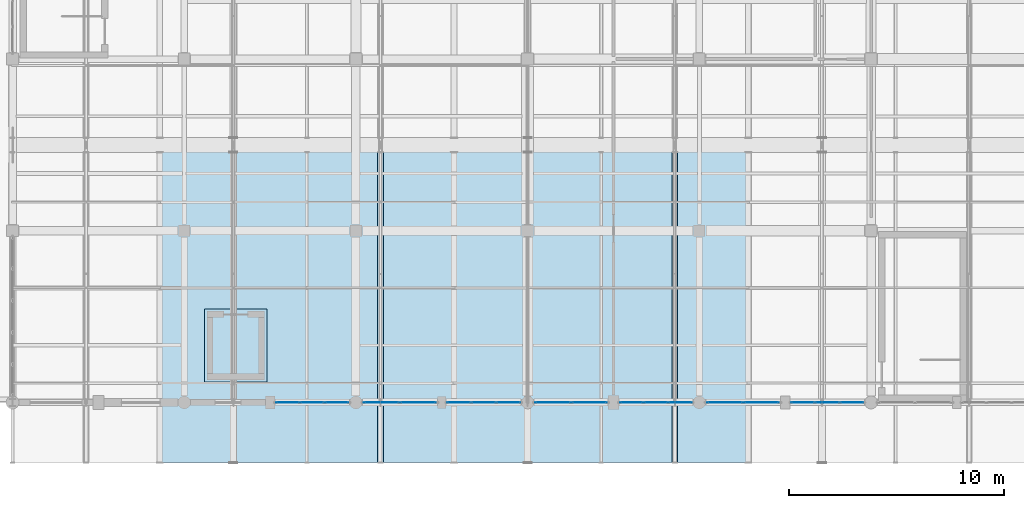
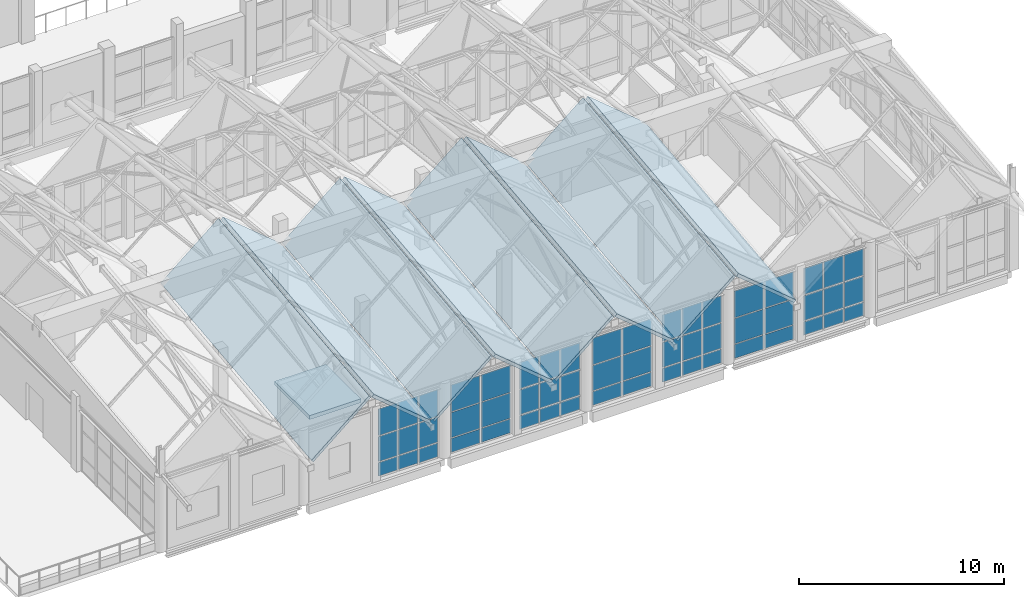
# One storey, part 125 of 183: 54 plates, 9 slabs, 7 elements without a shape of their own.
"""IFC4 building model written with IfcOpenShell, lengths in metres."""

from ifc_helpers import new_model, si_unit, direction, frame, origin, origin_2d, place, context, subcontext, project, spatial, polyline, rectangle, outline, extrude, material, layer, layer_set, type_object, element, aggregate, save


model = new_model("IFC4")

# Units and contexts
model_context = context("Model", 3, precision=1e-05, world=origin(), true_north=direction((0.0, 1.0)))
body_context = subcontext(model_context, "Body", "Model", "MODEL_VIEW")
ifc_project = project(units=[si_unit("LENGTHUNIT", "METRE"), si_unit("AREAUNIT", "SQUARE_METRE"), si_unit("VOLUMEUNIT", "CUBIC_METRE"), si_unit("PLANEANGLEUNIT", "RADIAN"), si_unit("MASSUNIT", "GRAM", prefix="KILO")], contexts=[model_context])

# Site, building, storey
site_placement = place(None, origin())
site = spatial("IfcSite", under=ifc_project, at=site_placement, CompositionType="ELEMENT")
building_placement = place(site_placement, origin())
building = spatial("IfcBuilding", under=site, at=building_placement, Name="Luwemba Playhouse", CompositionType="ELEMENT")
storey_placement = place(building_placement, frame((0.0, 0.0, 4.800048828125)))
storey = spatial("IfcBuildingStorey", under=building, at=storey_placement, Name="L01", CompositionType="ELEMENT", Elevation=4.800048828125)

# Curtain wall, plates
ifc_material_1 = material(Name="Solar-control double glazing", Category="glass")
curtain_wall_type_1 = type_object("IfcCurtainWallType", Name="CW-CW132", PredefinedType="USERDEFINED", material=ifc_material_1)
curtain_wall_1_placement = place(storey_placement, origin())
curtain_wall_1 = element("IfcCurtainWall", 1, at=curtain_wall_1_placement, inside=storey, type_object=curtain_wall_type_1, Name="L01 V5E unitised curtain wall 174", ObjectType="UNITISED GLAZING", PredefinedType="USERDEFINED")
ifc_layer_1 = layer(ifc_material_1, 0.02392578125)
ifc_layer_set_1 = layer_set([ifc_layer_1], Name="Solar-control double glazing")
plate_type_1 = type_object("IfcPlateType", Name="CWP-P1", PredefinedType="CURTAIN_PANEL", material=ifc_layer_set_1)
plate_1_placement = place(storey_placement, frame((155.110107421875, 3.0, 0.059814453125), z_axis=(0.0, 0.0, 1.0), x_axis=(-1.0, 0.0, 0.0)))
plate_1 = element("IfcPlate", 2, at=plate_1_placement, type_object=plate_type_1, Name="CW132 panel 1.1", PredefinedType="CURTAIN_PANEL", context=body_context, shape_type="SweptSolid", body=[
    extrude(rectangle(XDim=1.06005859375, YDim=0.02392578125, at=origin_2d()), origin(), (0.0, 0.0, 1.0), 0.81005859375),
])
plate_2_placement = place(storey_placement, frame((155.110107421875, 3.0, 0.93017578125), z_axis=(0.0, 0.0, 1.0), x_axis=(-1.0, 0.0, 0.0)))
plate_2 = element("IfcPlate", 3, at=plate_2_placement, type_object=plate_type_1, Name="CW132 panel 1.2", PredefinedType="CURTAIN_PANEL", context=body_context, shape_type="SweptSolid", body=[
    extrude(rectangle(XDim=1.06005859375, YDim=0.02392578125, at=origin_2d()), origin(), (0.0, 0.0, 1.0), 1.489990234375),
])
plate_3_placement = place(storey_placement, frame((155.110107421875, 3.0, 2.47998046875), z_axis=(0.0, 0.0, 1.0), x_axis=(-1.0, 0.0, 0.0)))
plate_3 = element("IfcPlate", 4, at=plate_3_placement, type_object=plate_type_1, Name="CW132 panel 1.3", PredefinedType="CURTAIN_PANEL", context=body_context, shape_type="SweptSolid", body=[
    extrude(rectangle(XDim=1.06005859375, YDim=0.02392578125, at=origin_2d()), origin(), (0.0, 0.0, 1.0), 1.5849609375),
])
plate_4_placement = place(storey_placement, frame((153.97509765625, 3.0, 0.059814453125), z_axis=(0.0, 0.0, 1.0), x_axis=(-1.0, 0.0, 0.0)))
plate_4 = element("IfcPlate", 5, at=plate_4_placement, type_object=plate_type_1, Name="CW132 panel 2.1", PredefinedType="CURTAIN_PANEL", context=body_context, shape_type="SweptSolid", body=[
    extrude(rectangle(XDim=1.090087890625, YDim=0.02392578125, at=origin_2d()), origin(), (0.0, 0.0, 1.0), 0.81005859375),
])
plate_5_placement = place(storey_placement, frame((153.97509765625, 3.0, 0.93017578125), z_axis=(0.0, 0.0, 1.0), x_axis=(-1.0, 0.0, 0.0)))
plate_5 = element("IfcPlate", 6, at=plate_5_placement, type_object=plate_type_1, Name="CW132 panel 2.2", PredefinedType="CURTAIN_PANEL", context=body_context, shape_type="SweptSolid", body=[
    extrude(rectangle(XDim=1.090087890625, YDim=0.02392578125, at=origin_2d()), origin(), (0.0, 0.0, 1.0), 1.489990234375),
])
plate_6_placement = place(storey_placement, frame((153.97509765625, 3.0, 2.47998046875), z_axis=(0.0, 0.0, 1.0), x_axis=(-1.0, 0.0, 0.0)))
plate_6 = element("IfcPlate", 7, at=plate_6_placement, type_object=plate_type_1, Name="CW132 panel 2.3", PredefinedType="CURTAIN_PANEL", context=body_context, shape_type="SweptSolid", body=[
    extrude(rectangle(XDim=1.090087890625, YDim=0.02392578125, at=origin_2d()), origin(), (0.0, 0.0, 1.0), 1.5849609375),
])
plate_7_placement = place(storey_placement, frame((152.840087890625, 3.0, 0.059814453125), z_axis=(0.0, 0.0, 1.0), x_axis=(-1.0, 0.0, 0.0)))
plate_7 = element("IfcPlate", 8, at=plate_7_placement, type_object=plate_type_1, Name="CW132 panel 3.1", PredefinedType="CURTAIN_PANEL", context=body_context, shape_type="SweptSolid", body=[
    extrude(rectangle(XDim=1.06005859375, YDim=0.02392578125, at=origin_2d()), origin(), (0.0, 0.0, 1.0), 0.81005859375),
])
plate_8_placement = place(storey_placement, frame((152.840087890625, 3.0, 0.93017578125), z_axis=(0.0, 0.0, 1.0), x_axis=(-1.0, 0.0, 0.0)))
plate_8 = element("IfcPlate", 9, at=plate_8_placement, type_object=plate_type_1, Name="CW132 panel 3.2", PredefinedType="CURTAIN_PANEL", context=body_context, shape_type="SweptSolid", body=[
    extrude(rectangle(XDim=1.06005859375, YDim=0.02392578125, at=origin_2d()), origin(), (0.0, 0.0, 1.0), 1.489990234375),
])
plate_9_placement = place(storey_placement, frame((152.840087890625, 3.0, 2.47998046875), z_axis=(0.0, 0.0, 1.0), x_axis=(-1.0, 0.0, 0.0)))
plate_9 = element("IfcPlate", 10, at=plate_9_placement, type_object=plate_type_1, Name="CW132 panel 3.3", PredefinedType="CURTAIN_PANEL", context=body_context, shape_type="SweptSolid", body=[
    extrude(rectangle(XDim=1.06005859375, YDim=0.02392578125, at=origin_2d()), origin(), (0.0, 0.0, 1.0), 1.5849609375),
])
aggregate(curtain_wall_1, [plate_1, plate_2, plate_3, plate_4, plate_5, plate_6, plate_7, plate_8, plate_9])

curtain_wall_type_2 = type_object("IfcCurtainWallType", Name="CW-CW124", PredefinedType="USERDEFINED", material=ifc_material_1)
curtain_wall_2_placement = place(storey_placement, origin())
curtain_wall_2 = element("IfcCurtainWall", 11, at=curtain_wall_2_placement, inside=storey, type_object=curtain_wall_type_2, Name="L01 V5E unitised curtain wall 178", ObjectType="UNITISED GLAZING", PredefinedType="USERDEFINED")
plate_10_placement = place(storey_placement, frame((139.105712890625, 3.0, 0.059814453125), z_axis=(0.0, 0.0, 1.0), x_axis=(-1.0, 0.0, 0.0)))
plate_10 = element("IfcPlate", 12, at=plate_10_placement, type_object=plate_type_1, Name="CW124 panel 1.1", PredefinedType="CURTAIN_PANEL", context=body_context, shape_type="SweptSolid", body=[
    extrude(rectangle(XDim=1.068359375, YDim=0.02392578125, at=origin_2d()), origin(), (0.0, 0.0, 1.0), 0.81005859375),
])
plate_11_placement = place(storey_placement, frame((139.105712890625, 3.0, 0.93017578125), z_axis=(0.0, 0.0, 1.0), x_axis=(-1.0, 0.0, 0.0)))
plate_11 = element("IfcPlate", 13, at=plate_11_placement, type_object=plate_type_1, Name="CW124 panel 1.2", PredefinedType="CURTAIN_PANEL", context=body_context, shape_type="SweptSolid", body=[
    extrude(rectangle(XDim=1.068359375, YDim=0.02392578125, at=origin_2d()), origin(), (0.0, 0.0, 1.0), 1.489990234375),
])
plate_12_placement = place(storey_placement, frame((139.105712890625, 3.0, 2.47998046875), z_axis=(0.0, 0.0, 1.0), x_axis=(-1.0, 0.0, 0.0)))
plate_12 = element("IfcPlate", 14, at=plate_12_placement, type_object=plate_type_1, Name="CW124 panel 1.3", PredefinedType="CURTAIN_PANEL", context=body_context, shape_type="SweptSolid", body=[
    extrude(rectangle(XDim=1.068359375, YDim=0.02392578125, at=origin_2d()), origin(), (0.0, 0.0, 1.0), 1.5849609375),
])
plate_13_placement = place(storey_placement, frame((137.96240234375, 3.0, 0.059814453125), z_axis=(0.0, 0.0, 1.0), x_axis=(-1.0, 0.0, 0.0)))
plate_13 = element("IfcPlate", 15, at=plate_13_placement, type_object=plate_type_1, Name="CW124 panel 2.1", PredefinedType="CURTAIN_PANEL", context=body_context, shape_type="SweptSolid", body=[
    extrude(rectangle(XDim=1.098388671875, YDim=0.02392578125, at=origin_2d()), origin(), (0.0, 0.0, 1.0), 0.81005859375),
])
plate_14_placement = place(storey_placement, frame((137.96240234375, 3.0, 0.93017578125), z_axis=(0.0, 0.0, 1.0), x_axis=(-1.0, 0.0, 0.0)))
plate_14 = element("IfcPlate", 16, at=plate_14_placement, type_object=plate_type_1, Name="CW124 panel 2.2", PredefinedType="CURTAIN_PANEL", context=body_context, shape_type="SweptSolid", body=[
    extrude(rectangle(XDim=1.098388671875, YDim=0.02392578125, at=origin_2d()), origin(), (0.0, 0.0, 1.0), 1.489990234375),
])
plate_15_placement = place(storey_placement, frame((137.96240234375, 3.0, 2.47998046875), z_axis=(0.0, 0.0, 1.0), x_axis=(-1.0, 0.0, 0.0)))
plate_15 = element("IfcPlate", 17, at=plate_15_placement, type_object=plate_type_1, Name="CW124 panel 2.3", PredefinedType="CURTAIN_PANEL", context=body_context, shape_type="SweptSolid", body=[
    extrude(rectangle(XDim=1.098388671875, YDim=0.02392578125, at=origin_2d()), origin(), (0.0, 0.0, 1.0), 1.5849609375),
])
plate_16_placement = place(storey_placement, frame((136.819091796875, 3.0, 0.059814453125), z_axis=(0.0, 0.0, 1.0), x_axis=(-1.0, 0.0, 0.0)))
plate_16 = element("IfcPlate", 18, at=plate_16_placement, type_object=plate_type_1, Name="CW124 panel 3.1", PredefinedType="CURTAIN_PANEL", context=body_context, shape_type="SweptSolid", body=[
    extrude(rectangle(XDim=1.068359375, YDim=0.02392578125, at=origin_2d()), origin(), (0.0, 0.0, 1.0), 0.81005859375),
])
plate_17_placement = place(storey_placement, frame((136.819091796875, 3.0, 0.93017578125), z_axis=(0.0, 0.0, 1.0), x_axis=(-1.0, 0.0, 0.0)))
plate_17 = element("IfcPlate", 19, at=plate_17_placement, type_object=plate_type_1, Name="CW124 panel 3.2", PredefinedType="CURTAIN_PANEL", context=body_context, shape_type="SweptSolid", body=[
    extrude(rectangle(XDim=1.068359375, YDim=0.02392578125, at=origin_2d()), origin(), (0.0, 0.0, 1.0), 1.489990234375),
])
plate_18_placement = place(storey_placement, frame((136.819091796875, 3.0, 2.47998046875), z_axis=(0.0, 0.0, 1.0), x_axis=(-1.0, 0.0, 0.0)))
plate_18 = element("IfcPlate", 20, at=plate_18_placement, type_object=plate_type_1, Name="CW124 panel 3.3", PredefinedType="CURTAIN_PANEL", context=body_context, shape_type="SweptSolid", body=[
    extrude(rectangle(XDim=1.068359375, YDim=0.02392578125, at=origin_2d()), origin(), (0.0, 0.0, 1.0), 1.5849609375),
])
aggregate(curtain_wall_2, [plate_10, plate_11, plate_12, plate_13, plate_14, plate_15, plate_16, plate_17, plate_18])

curtain_wall_type_3 = type_object("IfcCurtainWallType", Name="CW-CW133", PredefinedType="USERDEFINED", material=ifc_material_1)
curtain_wall_3_placement = place(storey_placement, origin())
curtain_wall_3 = element("IfcCurtainWall", 21, at=curtain_wall_3_placement, inside=storey, type_object=curtain_wall_type_3, Name="L01 V5E unitised curtain wall 175", ObjectType="UNITISED GLAZING", PredefinedType="USERDEFINED")
ifc_layer_2 = layer(ifc_material_1, 0.028076171875)
ifc_layer_set_2 = layer_set([ifc_layer_2], Name="Solar-control double glazing")
plate_type_2 = type_object("IfcPlateType", Name="CWP-P2", PredefinedType="CURTAIN_PANEL", material=ifc_layer_set_2)
plate_19_placement = place(storey_placement, frame((150.871337890625, 3.0, 0.054931640625), z_axis=(0.0, 0.0, 1.0), x_axis=(-1.0, 0.0, 0.0)))
plate_19 = element("IfcPlate", 22, at=plate_19_placement, type_object=plate_type_2, Name="CW133 panel 1.1", PredefinedType="CURTAIN_PANEL", context=body_context, shape_type="SweptSolid", body=[
    extrude(rectangle(XDim=1.62744140625, YDim=0.028076171875, at=origin_2d()), origin(), (0.0, 0.0, 1.0), 0.8173828125),
])
plate_20_placement = place(storey_placement, frame((150.871337890625, 3.0, 0.927490234375), z_axis=(0.0, 0.0, 1.0), x_axis=(-1.0, 0.0, 0.0)))
plate_20 = element("IfcPlate", 23, at=plate_20_placement, type_object=plate_type_2, Name="CW133 panel 1.2", PredefinedType="CURTAIN_PANEL", context=body_context, shape_type="SweptSolid", body=[
    extrude(rectangle(XDim=1.62744140625, YDim=0.028076171875, at=origin_2d()), origin(), (0.0, 0.0, 1.0), 1.4951171875),
])
plate_21_placement = place(storey_placement, frame((150.871337890625, 3.0, 2.4775390625), z_axis=(0.0, 0.0, 1.0), x_axis=(-1.0, 0.0, 0.0)))
plate_21 = element("IfcPlate", 24, at=plate_21_placement, type_object=plate_type_2, Name="CW133 panel 1.3", PredefinedType="CURTAIN_PANEL", context=body_context, shape_type="SweptSolid", body=[
    extrude(rectangle(XDim=1.62744140625, YDim=0.028076171875, at=origin_2d()), origin(), (0.0, 0.0, 1.0), 1.592529296875),
])
plate_22_placement = place(storey_placement, frame((149.1787109375, 3.0, 0.054931640625), z_axis=(0.0, 0.0, 1.0), x_axis=(-1.0, 0.0, 0.0)))
plate_22 = element("IfcPlate", 25, at=plate_22_placement, type_object=plate_type_2, Name="CW133 panel 2.1", PredefinedType="CURTAIN_PANEL", context=body_context, shape_type="SweptSolid", body=[
    extrude(rectangle(XDim=1.62744140625, YDim=0.028076171875, at=origin_2d()), origin(), (0.0, 0.0, 1.0), 0.8173828125),
])
plate_23_placement = place(storey_placement, frame((149.1787109375, 3.0, 0.927490234375), z_axis=(0.0, 0.0, 1.0), x_axis=(-1.0, 0.0, 0.0)))
plate_23 = element("IfcPlate", 26, at=plate_23_placement, type_object=plate_type_2, Name="CW133 panel 2.2", PredefinedType="CURTAIN_PANEL", context=body_context, shape_type="SweptSolid", body=[
    extrude(rectangle(XDim=1.62744140625, YDim=0.028076171875, at=origin_2d()), origin(), (0.0, 0.0, 1.0), 1.4951171875),
])
plate_24_placement = place(storey_placement, frame((149.1787109375, 3.0, 2.4775390625), z_axis=(0.0, 0.0, 1.0), x_axis=(-1.0, 0.0, 0.0)))
plate_24 = element("IfcPlate", 27, at=plate_24_placement, type_object=plate_type_2, Name="CW133 panel 2.3", PredefinedType="CURTAIN_PANEL", context=body_context, shape_type="SweptSolid", body=[
    extrude(rectangle(XDim=1.62744140625, YDim=0.028076171875, at=origin_2d()), origin(), (0.0, 0.0, 1.0), 1.592529296875),
])
aggregate(curtain_wall_3, [plate_19, plate_20, plate_21, plate_22, plate_23, plate_24])

curtain_wall_type_4 = type_object("IfcCurtainWallType", Name="CW-CW118", PredefinedType="USERDEFINED", material=ifc_material_1)
curtain_wall_4_placement = place(storey_placement, origin())
curtain_wall_4 = element("IfcCurtainWall", 28, at=curtain_wall_4_placement, inside=storey, type_object=curtain_wall_type_4, Name="L01 V5E unitised curtain wall 172", ObjectType="UNITISED GLAZING", PredefinedType="USERDEFINED")
ifc_layer_3 = layer(ifc_material_1, 0.031982421875)
ifc_layer_set_3 = layer_set([ifc_layer_3], Name="Solar-control double glazing")
plate_type_3 = type_object("IfcPlateType", Name="CWP-P3", PredefinedType="CURTAIN_PANEL", material=ifc_layer_set_3)
plate_25_placement = place(storey_placement, frame((163.107177734375, 3.0, 0.06494140625), z_axis=(0.0, 0.0, 1.0), x_axis=(-1.0, 0.0, 0.0)))
plate_25 = element("IfcPlate", 29, at=plate_25_placement, type_object=plate_type_3, Name="CW118 panel 1.1", PredefinedType="CURTAIN_PANEL", context=body_context, shape_type="SweptSolid", body=[
    extrude(rectangle(XDim=1.075927734375, YDim=0.031982421875, at=origin_2d()), origin(), (0.0, 0.0, 1.0), 0.802490234375),
])
plate_26_placement = place(storey_placement, frame((163.107177734375, 3.0, 0.9326171875), z_axis=(0.0, 0.0, 1.0), x_axis=(-1.0, 0.0, 0.0)))
plate_26 = element("IfcPlate", 30, at=plate_26_placement, type_object=plate_type_3, Name="CW118 panel 1.2", PredefinedType="CURTAIN_PANEL", context=body_context, shape_type="SweptSolid", body=[
    extrude(rectangle(XDim=1.075927734375, YDim=0.031982421875, at=origin_2d()), origin(), (0.0, 0.0, 1.0), 1.485107421875),
])
plate_27_placement = place(storey_placement, frame((163.107177734375, 3.0, 2.482421875), z_axis=(0.0, 0.0, 1.0), x_axis=(-1.0, 0.0, 0.0)))
plate_27 = element("IfcPlate", 31, at=plate_27_placement, type_object=plate_type_3, Name="CW118 panel 1.3", PredefinedType="CURTAIN_PANEL", context=body_context, shape_type="SweptSolid", body=[
    extrude(rectangle(XDim=1.075927734375, YDim=0.031982421875, at=origin_2d()), origin(), (0.0, 0.0, 1.0), 1.577392578125),
])
plate_28_placement = place(storey_placement, frame((161.96240234375, 3.0, 0.06494140625), z_axis=(0.0, 0.0, 1.0), x_axis=(-1.0, 0.0, 0.0)))
plate_28 = element("IfcPlate", 32, at=plate_28_placement, type_object=plate_type_3, Name="CW118 panel 2.1", PredefinedType="CURTAIN_PANEL", context=body_context, shape_type="SweptSolid", body=[
    extrude(rectangle(XDim=1.103271484375, YDim=0.031982421875, at=origin_2d()), origin(), (0.0, 0.0, 1.0), 0.802490234375),
])
plate_29_placement = place(storey_placement, frame((161.96240234375, 3.0, 0.9326171875), z_axis=(0.0, 0.0, 1.0), x_axis=(-1.0, 0.0, 0.0)))
plate_29 = element("IfcPlate", 33, at=plate_29_placement, type_object=plate_type_3, Name="CW118 panel 2.2", PredefinedType="CURTAIN_PANEL", context=body_context, shape_type="SweptSolid", body=[
    extrude(rectangle(XDim=1.103271484375, YDim=0.031982421875, at=origin_2d()), origin(), (0.0, 0.0, 1.0), 1.485107421875),
])
plate_30_placement = place(storey_placement, frame((161.96240234375, 3.0, 2.482421875), z_axis=(0.0, 0.0, 1.0), x_axis=(-1.0, 0.0, 0.0)))
plate_30 = element("IfcPlate", 34, at=plate_30_placement, type_object=plate_type_3, Name="CW118 panel 2.3", PredefinedType="CURTAIN_PANEL", context=body_context, shape_type="SweptSolid", body=[
    extrude(rectangle(XDim=1.103271484375, YDim=0.031982421875, at=origin_2d()), origin(), (0.0, 0.0, 1.0), 1.577392578125),
])
plate_31_placement = place(storey_placement, frame((160.81787109375, 3.0, 0.06494140625), z_axis=(0.0, 0.0, 1.0), x_axis=(-1.0, 0.0, 0.0)))
plate_31 = element("IfcPlate", 35, at=plate_31_placement, type_object=plate_type_3, Name="CW118 panel 3.1", PredefinedType="CURTAIN_PANEL", context=body_context, shape_type="SweptSolid", body=[
    extrude(rectangle(XDim=1.075927734375, YDim=0.031982421875, at=origin_2d()), origin(), (0.0, 0.0, 1.0), 0.802490234375),
])
plate_32_placement = place(storey_placement, frame((160.81787109375, 3.0, 0.9326171875), z_axis=(0.0, 0.0, 1.0), x_axis=(-1.0, 0.0, 0.0)))
plate_32 = element("IfcPlate", 36, at=plate_32_placement, type_object=plate_type_3, Name="CW118 panel 3.2", PredefinedType="CURTAIN_PANEL", context=body_context, shape_type="SweptSolid", body=[
    extrude(rectangle(XDim=1.075927734375, YDim=0.031982421875, at=origin_2d()), origin(), (0.0, 0.0, 1.0), 1.485107421875),
])
plate_33_placement = place(storey_placement, frame((160.81787109375, 3.0, 2.482421875), z_axis=(0.0, 0.0, 1.0), x_axis=(-1.0, 0.0, 0.0)))
plate_33 = element("IfcPlate", 37, at=plate_33_placement, type_object=plate_type_3, Name="CW118 panel 3.3", PredefinedType="CURTAIN_PANEL", context=body_context, shape_type="SweptSolid", body=[
    extrude(rectangle(XDim=1.075927734375, YDim=0.031982421875, at=origin_2d()), origin(), (0.0, 0.0, 1.0), 1.577392578125),
])
aggregate(curtain_wall_4, [plate_25, plate_26, plate_27, plate_28, plate_29, plate_30, plate_31, plate_32, plate_33])

curtain_wall_type_5 = type_object("IfcCurtainWallType", Name="CW-CW126", PredefinedType="USERDEFINED", material=ifc_material_1)
curtain_wall_5_placement = place(storey_placement, origin())
curtain_wall_5 = element("IfcCurtainWall", 38, at=curtain_wall_5_placement, inside=storey, type_object=curtain_wall_type_5, Name="L01 V5E unitised curtain wall 176", ObjectType="UNITISED GLAZING", PredefinedType="USERDEFINED")
plate_34_placement = place(storey_placement, frame((147.10302734375, 3.0, 0.06494140625), z_axis=(0.0, 0.0, 1.0), x_axis=(-1.0, 0.0, 0.0)))
plate_34 = element("IfcPlate", 39, at=plate_34_placement, type_object=plate_type_3, Name="CW126 panel 1.1", PredefinedType="CURTAIN_PANEL", context=body_context, shape_type="SweptSolid", body=[
    extrude(rectangle(XDim=1.084228515625, YDim=0.031982421875, at=origin_2d()), origin(), (0.0, 0.0, 1.0), 0.802490234375),
])
plate_35_placement = place(storey_placement, frame((147.10302734375, 3.0, 0.9326171875), z_axis=(0.0, 0.0, 1.0), x_axis=(-1.0, 0.0, 0.0)))
plate_35 = element("IfcPlate", 40, at=plate_35_placement, type_object=plate_type_3, Name="CW126 panel 1.2", PredefinedType="CURTAIN_PANEL", context=body_context, shape_type="SweptSolid", body=[
    extrude(rectangle(XDim=1.084228515625, YDim=0.031982421875, at=origin_2d()), origin(), (0.0, 0.0, 1.0), 1.485107421875),
])
plate_36_placement = place(storey_placement, frame((147.10302734375, 3.0, 2.482421875), z_axis=(0.0, 0.0, 1.0), x_axis=(-1.0, 0.0, 0.0)))
plate_36 = element("IfcPlate", 41, at=plate_36_placement, type_object=plate_type_3, Name="CW126 panel 1.3", PredefinedType="CURTAIN_PANEL", context=body_context, shape_type="SweptSolid", body=[
    extrude(rectangle(XDim=1.084228515625, YDim=0.031982421875, at=origin_2d()), origin(), (0.0, 0.0, 1.0), 1.577392578125),
])
plate_37_placement = place(storey_placement, frame((145.949951171875, 3.0, 0.06494140625), z_axis=(0.0, 0.0, 1.0), x_axis=(-1.0, 0.0, 0.0)))
plate_37 = element("IfcPlate", 42, at=plate_37_placement, type_object=plate_type_3, Name="CW126 panel 2.1", PredefinedType="CURTAIN_PANEL", context=body_context, shape_type="SweptSolid", body=[
    extrude(rectangle(XDim=1.111572265625, YDim=0.031982421875, at=origin_2d()), origin(), (0.0, 0.0, 1.0), 0.802490234375),
])
plate_38_placement = place(storey_placement, frame((145.949951171875, 3.0, 0.9326171875), z_axis=(0.0, 0.0, 1.0), x_axis=(-1.0, 0.0, 0.0)))
plate_38 = element("IfcPlate", 43, at=plate_38_placement, type_object=plate_type_3, Name="CW126 panel 2.2", PredefinedType="CURTAIN_PANEL", context=body_context, shape_type="SweptSolid", body=[
    extrude(rectangle(XDim=1.111572265625, YDim=0.031982421875, at=origin_2d()), origin(), (0.0, 0.0, 1.0), 1.485107421875),
])
plate_39_placement = place(storey_placement, frame((145.949951171875, 3.0, 2.482421875), z_axis=(0.0, 0.0, 1.0), x_axis=(-1.0, 0.0, 0.0)))
plate_39 = element("IfcPlate", 44, at=plate_39_placement, type_object=plate_type_3, Name="CW126 panel 2.3", PredefinedType="CURTAIN_PANEL", context=body_context, shape_type="SweptSolid", body=[
    extrude(rectangle(XDim=1.111572265625, YDim=0.031982421875, at=origin_2d()), origin(), (0.0, 0.0, 1.0), 1.577392578125),
])
plate_40_placement = place(storey_placement, frame((144.797119140625, 3.0, 0.06494140625), z_axis=(0.0, 0.0, 1.0), x_axis=(-1.0, 0.0, 0.0)))
plate_40 = element("IfcPlate", 45, at=plate_40_placement, type_object=plate_type_3, Name="CW126 panel 3.1", PredefinedType="CURTAIN_PANEL", context=body_context, shape_type="SweptSolid", body=[
    extrude(rectangle(XDim=1.084228515625, YDim=0.031982421875, at=origin_2d()), origin(), (0.0, 0.0, 1.0), 0.802490234375),
])
plate_41_placement = place(storey_placement, frame((144.797119140625, 3.0, 0.9326171875), z_axis=(0.0, 0.0, 1.0), x_axis=(-1.0, 0.0, 0.0)))
plate_41 = element("IfcPlate", 46, at=plate_41_placement, type_object=plate_type_3, Name="CW126 panel 3.2", PredefinedType="CURTAIN_PANEL", context=body_context, shape_type="SweptSolid", body=[
    extrude(rectangle(XDim=1.084228515625, YDim=0.031982421875, at=origin_2d()), origin(), (0.0, 0.0, 1.0), 1.485107421875),
])
plate_42_placement = place(storey_placement, frame((144.797119140625, 3.0, 2.482421875), z_axis=(0.0, 0.0, 1.0), x_axis=(-1.0, 0.0, 0.0)))
plate_42 = element("IfcPlate", 47, at=plate_42_placement, type_object=plate_type_3, Name="CW126 panel 3.3", PredefinedType="CURTAIN_PANEL", context=body_context, shape_type="SweptSolid", body=[
    extrude(rectangle(XDim=1.084228515625, YDim=0.031982421875, at=origin_2d()), origin(), (0.0, 0.0, 1.0), 1.577392578125),
])
aggregate(curtain_wall_5, [plate_34, plate_35, plate_36, plate_37, plate_38, plate_39, plate_40, plate_41, plate_42])

curtain_wall_type_6 = type_object("IfcCurtainWallType", Name="CW-CW123", PredefinedType="USERDEFINED", material=ifc_material_1)
curtain_wall_6_placement = place(storey_placement, origin())
curtain_wall_6 = element("IfcCurtainWall", 48, at=curtain_wall_6_placement, inside=storey, type_object=curtain_wall_type_6, Name="L01 V5E unitised curtain wall 173", ObjectType="UNITISED GLAZING", PredefinedType="USERDEFINED")
ifc_layer_4 = layer(ifc_material_1, 0.035888671875)
ifc_layer_set_4 = layer_set([ifc_layer_4], Name="Solar-control double glazing")
plate_type_4 = type_object("IfcPlateType", Name="CWP-P4", PredefinedType="CURTAIN_PANEL", material=ifc_layer_set_4)
plate_43_placement = place(storey_placement, frame((158.888671875, 3.0, 0.0498046875), z_axis=(0.0, 0.0, 1.0), x_axis=(-1.0, 0.0, 0.0)))
plate_43 = element("IfcPlate", 49, at=plate_43_placement, type_object=plate_type_4, Name="CW123 panel 1.1", PredefinedType="CURTAIN_PANEL", context=body_context, shape_type="SweptSolid", body=[
    extrude(rectangle(XDim=1.632568359375, YDim=0.035888671875, at=origin_2d()), origin(), (0.0, 0.0, 1.0), 0.824951171875),
])
plate_44_placement = place(storey_placement, frame((158.888671875, 3.0, 0.925048828125), z_axis=(0.0, 0.0, 1.0), x_axis=(-1.0, 0.0, 0.0)))
plate_44 = element("IfcPlate", 50, at=plate_44_placement, type_object=plate_type_4, Name="CW123 panel 1.2", PredefinedType="CURTAIN_PANEL", context=body_context, shape_type="SweptSolid", body=[
    extrude(rectangle(XDim=1.632568359375, YDim=0.035888671875, at=origin_2d()), origin(), (0.0, 0.0, 1.0), 1.5),
])
plate_45_placement = place(storey_placement, frame((158.888671875, 3.0, 2.474853515625), z_axis=(0.0, 0.0, 1.0), x_axis=(-1.0, 0.0, 0.0)))
plate_45 = element("IfcPlate", 51, at=plate_45_placement, type_object=plate_type_4, Name="CW123 panel 1.3", PredefinedType="CURTAIN_PANEL", context=body_context, shape_type="SweptSolid", body=[
    extrude(rectangle(XDim=1.632568359375, YDim=0.035888671875, at=origin_2d()), origin(), (0.0, 0.0, 1.0), 1.60009765625),
])
plate_46_placement = place(storey_placement, frame((157.186279296875, 3.0, 0.0498046875), z_axis=(0.0, 0.0, 1.0), x_axis=(-1.0, 0.0, 0.0)))
plate_46 = element("IfcPlate", 52, at=plate_46_placement, type_object=plate_type_4, Name="CW123 panel 2.1", PredefinedType="CURTAIN_PANEL", context=body_context, shape_type="SweptSolid", body=[
    extrude(rectangle(XDim=1.632568359375, YDim=0.035888671875, at=origin_2d()), origin(), (0.0, 0.0, 1.0), 0.824951171875),
])
plate_47_placement = place(storey_placement, frame((157.186279296875, 3.0, 0.925048828125), z_axis=(0.0, 0.0, 1.0), x_axis=(-1.0, 0.0, 0.0)))
plate_47 = element("IfcPlate", 53, at=plate_47_placement, type_object=plate_type_4, Name="CW123 panel 2.2", PredefinedType="CURTAIN_PANEL", context=body_context, shape_type="SweptSolid", body=[
    extrude(rectangle(XDim=1.632568359375, YDim=0.035888671875, at=origin_2d()), origin(), (0.0, 0.0, 1.0), 1.5),
])
plate_48_placement = place(storey_placement, frame((157.186279296875, 3.0, 2.474853515625), z_axis=(0.0, 0.0, 1.0), x_axis=(-1.0, 0.0, 0.0)))
plate_48 = element("IfcPlate", 54, at=plate_48_placement, type_object=plate_type_4, Name="CW123 panel 2.3", PredefinedType="CURTAIN_PANEL", context=body_context, shape_type="SweptSolid", body=[
    extrude(rectangle(XDim=1.632568359375, YDim=0.035888671875, at=origin_2d()), origin(), (0.0, 0.0, 1.0), 1.60009765625),
])
aggregate(curtain_wall_6, [plate_43, plate_44, plate_45, plate_46, plate_47, plate_48])

curtain_wall_type_7 = type_object("IfcCurtainWallType", Name="CW-CW119", PredefinedType="USERDEFINED", material=ifc_material_1)
curtain_wall_7_placement = place(storey_placement, origin())
curtain_wall_7 = element("IfcCurtainWall", 55, at=curtain_wall_7_placement, inside=storey, type_object=curtain_wall_type_7, Name="L01 V5E unitised curtain wall 177", ObjectType="UNITISED GLAZING", PredefinedType="USERDEFINED")
plate_49_placement = place(storey_placement, frame((142.907470703125, 3.0, 0.0498046875), z_axis=(0.0, 0.0, 1.0), x_axis=(-1.0, 0.0, 0.0)))
plate_49 = element("IfcPlate", 56, at=plate_49_placement, type_object=plate_type_4, Name="CW119 panel 1.1", PredefinedType="CURTAIN_PANEL", context=body_context, shape_type="SweptSolid", body=[
    extrude(rectangle(XDim=1.64501953125, YDim=0.035888671875, at=origin_2d()), origin(), (0.0, 0.0, 1.0), 0.824951171875),
])
plate_50_placement = place(storey_placement, frame((142.907470703125, 3.0, 0.925048828125), z_axis=(0.0, 0.0, 1.0), x_axis=(-1.0, 0.0, 0.0)))
plate_50 = element("IfcPlate", 57, at=plate_50_placement, type_object=plate_type_4, Name="CW119 panel 1.2", PredefinedType="CURTAIN_PANEL", context=body_context, shape_type="SweptSolid", body=[
    extrude(rectangle(XDim=1.64501953125, YDim=0.035888671875, at=origin_2d()), origin(), (0.0, 0.0, 1.0), 1.5),
])
plate_51_placement = place(storey_placement, frame((142.907470703125, 3.0, 2.474853515625), z_axis=(0.0, 0.0, 1.0), x_axis=(-1.0, 0.0, 0.0)))
plate_51 = element("IfcPlate", 58, at=plate_51_placement, type_object=plate_type_4, Name="CW119 panel 1.3", PredefinedType="CURTAIN_PANEL", context=body_context, shape_type="SweptSolid", body=[
    extrude(rectangle(XDim=1.64501953125, YDim=0.035888671875, at=origin_2d()), origin(), (0.0, 0.0, 1.0), 1.60009765625),
])
plate_52_placement = place(storey_placement, frame((141.1923828125, 3.0, 0.0498046875), z_axis=(0.0, 0.0, 1.0), x_axis=(-1.0, 0.0, 0.0)))
plate_52 = element("IfcPlate", 59, at=plate_52_placement, type_object=plate_type_4, Name="CW119 panel 2.1", PredefinedType="CURTAIN_PANEL", context=body_context, shape_type="SweptSolid", body=[
    extrude(rectangle(XDim=1.64501953125, YDim=0.035888671875, at=origin_2d()), origin(), (0.0, 0.0, 1.0), 0.824951171875),
])
plate_53_placement = place(storey_placement, frame((141.1923828125, 3.0, 0.925048828125), z_axis=(0.0, 0.0, 1.0), x_axis=(-1.0, 0.0, 0.0)))
plate_53 = element("IfcPlate", 60, at=plate_53_placement, type_object=plate_type_4, Name="CW119 panel 2.2", PredefinedType="CURTAIN_PANEL", context=body_context, shape_type="SweptSolid", body=[
    extrude(rectangle(XDim=1.64501953125, YDim=0.035888671875, at=origin_2d()), origin(), (0.0, 0.0, 1.0), 1.5),
])
plate_54_placement = place(storey_placement, frame((141.1923828125, 3.0, 2.474853515625), z_axis=(0.0, 0.0, 1.0), x_axis=(-1.0, 0.0, 0.0)))
plate_54 = element("IfcPlate", 61, at=plate_54_placement, type_object=plate_type_4, Name="CW119 panel 2.3", PredefinedType="CURTAIN_PANEL", context=body_context, shape_type="SweptSolid", body=[
    extrude(rectangle(XDim=1.64501953125, YDim=0.035888671875, at=origin_2d()), origin(), (0.0, 0.0, 1.0), 1.60009765625),
])
aggregate(curtain_wall_7, [plate_49, plate_50, plate_51, plate_52, plate_53, plate_54])

# Slabs
ifc_material_2 = material(Name="Concrete C32/40", Category="concrete")
ifc_layer_5 = layer(ifc_material_2, 0.179931640625)
ifc_layer_set_5 = layer_set([ifc_layer_5], Name="Concrete C32/40")
slab_type_1 = type_object("IfcSlabType", Name="SLB-ROOF-180", PredefinedType="ROOF", material=ifc_layer_set_5)
slab_1_placement = place(storey_placement, frame((130.897216796875, 0.199951171875, 4.57958984375), z_axis=(-0.637691519391, -0.085736622375, 0.765505556923), x_axis=(0.768334690779, 0.0, 0.64004828173)))
element("IfcSlab", 62, at=slab_1_placement, inside=storey, type_object=slab_type_1, Name="RF-V5E pleated roof facet 3S", PredefinedType="ROOF", context=body_context, shape_type="SweptSolid", body=[
    extrude(outline(polyline([(0.0, 0.0), (4.234375992384228, 5.551115123125783e-17), (5.29101819967412, 14.794465874723059), (1.0566422072898916, 14.794465874723059), (0.0, 0.0)])), origin(), (0.0, 0.0, -1.0), 0.179931640625),
])
slab_2_placement = place(storey_placement, frame((134.420654296875, 0.199951171875, 7.289794921875), z_axis=(0.637663126558, -0.085739238502, 0.765528915201), x_axis=(0.768358309003, 0.0, -0.640019928585)))
element("IfcSlab", 63, at=slab_2_placement, inside=storey, type_object=slab_type_1, Name="RF-V5E pleated roof facet 4S", PredefinedType="ROOF", context=body_context, shape_type="SweptSolid", body=[
    extrude(outline(polyline([(0.0, 0.0), (4.234563576978991, 2.7755575615628914e-17), (3.1779681772990607, 14.794469217716019), (-1.056595399679931, 14.794469217716017), (0.0, 0.0)])), origin(), (0.0, 0.0, -1.0), 0.179931640625),
])
slab_3_placement = place(storey_placement, frame((137.75439453125, 0.199951171875, 4.57958984375), z_axis=(-0.637725602192, -0.085733481713, 0.765477515295), x_axis=(0.768306337106, 0.0, 0.640082316865)))
element("IfcSlab", 64, at=slab_3_placement, inside=storey, type_object=slab_type_1, Name="RF-V5E pleated roof facet 5S", PredefinedType="ROOF", context=body_context, shape_type="SweptSolid", body=[
    extrude(outline(polyline([(0.0, 0.0), (4.234532258326516, 2.7755575615628914e-17), (5.291230653502879, 14.794461861595481), (1.0566983951763627, 14.794461861595481), (0.0, 0.0)])), origin(), (0.0, 0.0, -1.0), 0.179931640625),
])
slab_4_placement = place(storey_placement, frame((141.27783203125, 0.199951171875, 7.289794921875), z_axis=(0.637663126558, -0.085739238502, 0.765528915201), x_axis=(0.768358309003, 0.0, -0.640019928585)))
element("IfcSlab", 65, at=slab_4_placement, inside=storey, type_object=slab_type_1, Name="RF-V5E pleated roof facet 6S", PredefinedType="ROOF", context=body_context, shape_type="SweptSolid", body=[
    extrude(outline(polyline([(0.0, 0.0), (4.234563576978991, 2.7755575615628914e-17), (3.1779681772990607, 14.794469217716019), (-1.056595399679931, 14.794469217716017), (0.0, 0.0)])), origin(), (0.0, 0.0, -1.0), 0.179931640625),
])
slab_5_placement = place(storey_placement, frame((144.611328125, 0.199951171875, 4.57958984375), z_axis=(-0.637663126558, -0.085739238502, 0.765528915201), x_axis=(0.768358309003, 0.0, 0.640019928585)))
element("IfcSlab", 66, at=slab_5_placement, inside=storey, type_object=slab_type_1, Name="RF-V5E pleated roof facet 7S", PredefinedType="ROOF", context=body_context, shape_type="SweptSolid", body=[
    extrude(outline(polyline([(0.0, 0.0), (4.234563576978991, -2.7755575615628914e-17), (5.291158976658923, 14.794469217716017), (1.056595399679931, 14.794469217716017), (0.0, 0.0)])), origin(), (0.0, 0.0, -1.0), 0.179931640625),
])
slab_6_placement = place(storey_placement, frame((148.135009765625, 0.199951171875, 7.289794921875), z_axis=(0.637663126558, -0.085739238502, 0.765528915201), x_axis=(0.768358309003, 0.0, -0.640019928585)))
element("IfcSlab", 67, at=slab_6_placement, inside=storey, type_object=slab_type_1, Name="RF-V5E pleated roof facet 8S", PredefinedType="ROOF", context=body_context, shape_type="SweptSolid", body=[
    extrude(outline(polyline([(0.0, 0.0), (4.234563576978991, 2.7755575615628914e-17), (3.1779681772990607, 14.794469217716019), (-1.056595399679931, 14.794469217716017), (0.0, 0.0)])), origin(), (0.0, 0.0, -1.0), 0.179931640625),
])
slab_7_placement = place(storey_placement, frame((151.468505859375, 0.199951171875, 4.57958984375), z_axis=(-0.637663126558, -0.085739238502, 0.765528915201), x_axis=(0.768358309003, 0.0, 0.640019928585)))
element("IfcSlab", 68, at=slab_7_placement, inside=storey, type_object=slab_type_1, Name="RF-V5E pleated roof facet 9S", PredefinedType="ROOF", context=body_context, shape_type="SweptSolid", body=[
    extrude(outline(polyline([(0.0, 0.0), (4.234563576978991, -2.7755575615628914e-17), (5.291158976658923, 14.794469217716017), (1.056595399679931, 14.794469217716017), (0.0, 0.0)])), origin(), (0.0, 0.0, -1.0), 0.179931640625),
])
slab_8_placement = place(storey_placement, frame((154.9921875, 0.199951171875, 7.2900390625), z_axis=(0.637725602192, -0.085733481713, 0.765477515295), x_axis=(0.768306337106, 0.0, -0.640082316865)))
element("IfcSlab", 69, at=slab_8_placement, inside=storey, type_object=slab_type_1, Name="RF-V5E pleated roof facet 10S", PredefinedType="ROOF", context=body_context, shape_type="SweptSolid", body=[
    extrude(outline(polyline([(0.0, 0.0), (4.234532258326516, -2.7755575615628914e-17), (3.1778338631501537, 14.794461861595483), (-1.0566983951763627, 14.794461861595481), (0.0, 0.0)])), origin(), (0.0, 0.0, -1.0), 0.179931640625),
])
ifc_material_3 = material(Name="Concrete C40/50", Category="concrete")
ifc_layer_6 = layer(ifc_material_3, 0.22998046875)
ifc_layer_set_6 = layer_set([ifc_layer_6], Name="Concrete C40/50")
slab_type_2 = type_object("IfcSlabType", Name="SLB-UPP-230", PredefinedType="FLOOR", material=ifc_layer_set_6)
slab_9_placement = place(storey_placement, frame((0.0, 0.0, 4.02001953125)))
element("IfcSlab", 70, at=slab_9_placement, inside=storey, type_object=slab_type_2, Name="Lift LF-P5 overrun cap slab", PredefinedType="FLOOR", context=body_context, shape_type="SweptSolid", body=[
    extrude(outline(polyline([(132.949951171875, 3.949951171875), (135.85009765625, 3.949951171875), (135.85009765625, 7.35009765625), (132.949951171875, 7.35009765625), (132.949951171875, 3.949951171875)])), origin(), (0.0, 0.0, 1.0), 0.22998046875),
])

save(model, "model.ifc")
